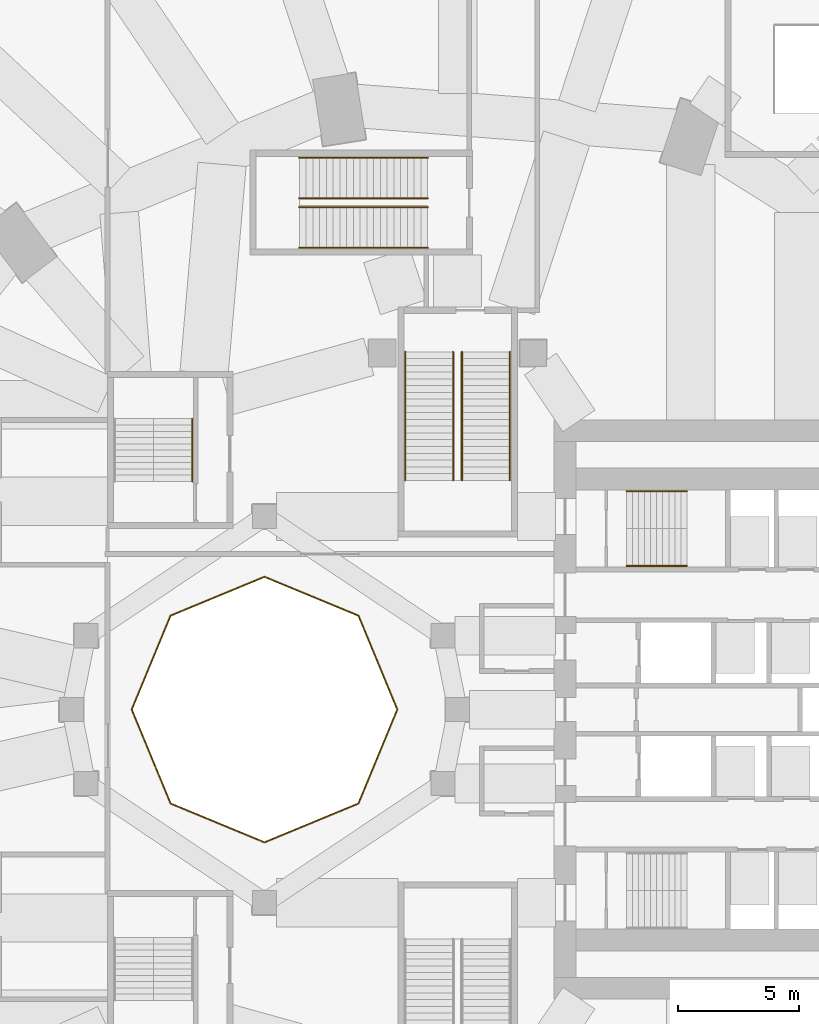
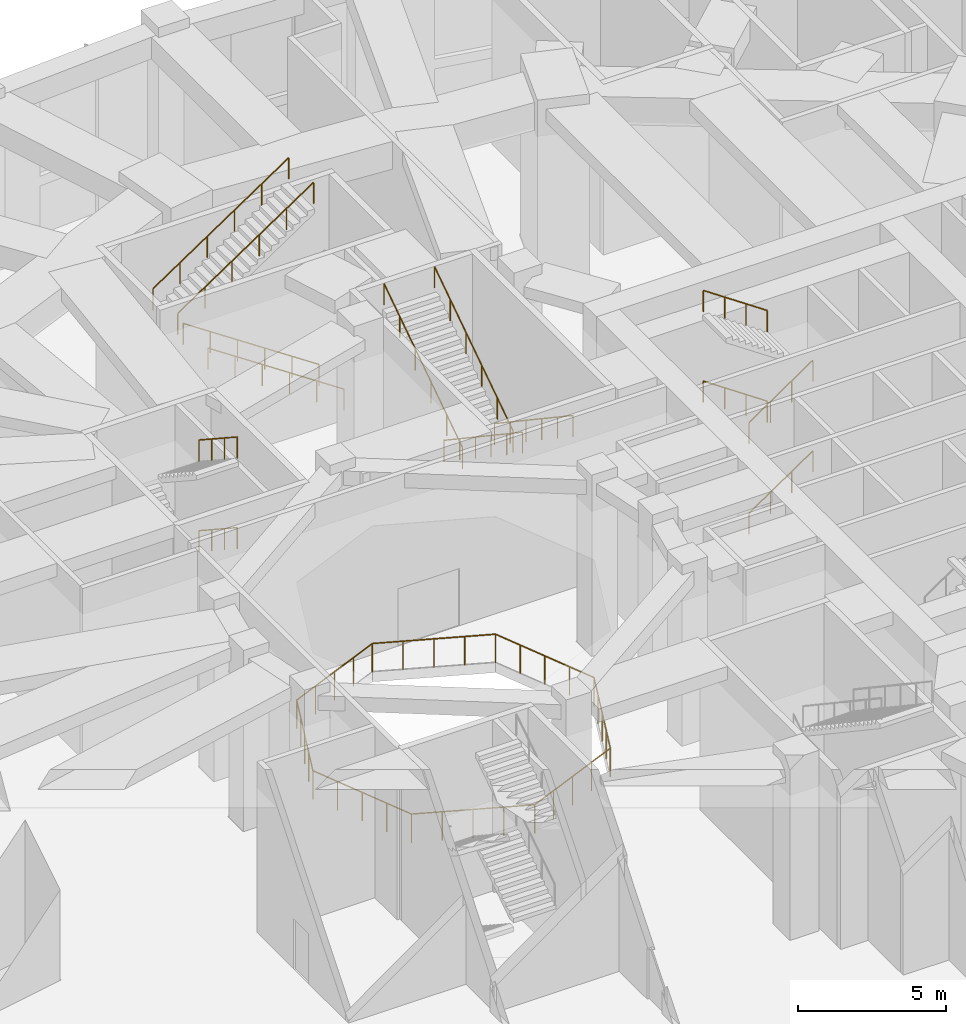
# One storey, part 57 of 60: 16 railings.
"""IFC4 building model written with IfcOpenShell, lengths in metres."""

from ifc_helpers import new_model, si_unit, direction, frame, origin, origin_2d, place, context, subcontext, project, spatial, circle, extrude, material, type_object, element, save


model = new_model("IFC4")

# Units and contexts
model_context = context("Model", 3, precision=1e-05, world=origin(), true_north=direction((0.0, 1.0)))
body_context = subcontext(model_context, "Body", "Model", "MODEL_VIEW")
ifc_project = project(units=[si_unit("LENGTHUNIT", "METRE"), si_unit("AREAUNIT", "SQUARE_METRE"), si_unit("VOLUMEUNIT", "CUBIC_METRE"), si_unit("PLANEANGLEUNIT", "RADIAN"), si_unit("MASSUNIT", "GRAM", prefix="KILO")], contexts=[model_context])

# Site, building, storey
site_placement = place(None, origin())
site = spatial("IfcSite", under=ifc_project, at=site_placement, CompositionType="ELEMENT")
building_placement = place(site_placement, origin())
building = spatial("IfcBuilding", under=site, at=building_placement, Name="Taillehof Tower", CompositionType="ELEMENT")
storey_placement = place(building_placement, origin())
storey = spatial("IfcBuildingStorey", under=building, at=storey_placement, Name="L00", CompositionType="ELEMENT", Elevation=0.0)

# Railings
ifc_material_1 = material(Name="Stainless steel and laminated glass", Category="steel")
railing_type_1 = type_object("IfcRailingType", Name="Guard 1200 mm", PredefinedType="GUARDRAIL", material=ifc_material_1)
railing_1_placement = place(storey_placement, frame((-2.5, 0.0, 0.0)))
element("IfcRailing", 1, at=railing_1_placement, inside=storey, type_object=railing_type_1, Name="Guard atrium", PredefinedType="GUARDRAIL", context=body_context, shape_type="SweptSolid", body=[
    extrude(circle(Radius=0.02392578125, at=origin_2d()), frame((0.0, 0.0, 1.17578125), z_axis=(-0.38266253946, 0.923888186359, 0.0), x_axis=(-0.923888186359, -0.38266253946, 0.0)), (0.0, 0.0, 1.0), 4.20947265625),
    extrude(circle(Radius=0.02392578125, at=origin_2d()), frame((-1.61083984375, 3.88916015625, 1.17578125), z_axis=(-0.923888186359, 0.38266253946, 0.0), x_axis=(-0.38266253946, -0.923888186359, 0.0)), (0.0, 0.0, 1.0), 4.20947265625),
    extrude(circle(Radius=0.02392578125, at=origin_2d()), frame((-5.5, 5.5, 1.17578125), z_axis=(-0.923888186359, -0.38266253946, 0.0), x_axis=(0.38266253946, -0.923888186359, 0.0)), (0.0, 0.0, 1.0), 4.20947265625),
    extrude(circle(Radius=0.02392578125, at=origin_2d()), frame((-9.38916015625, 3.88916015625, 1.17578125), z_axis=(-0.38266253946, -0.923888186359, 0.0), x_axis=(0.923888186359, -0.38266253946, 0.0)), (0.0, 0.0, 1.0), 4.20947265625),
    extrude(circle(Radius=0.02099609375, at=origin_2d()), origin(), (0.0, 0.0, 1.0), 1.15185546875),
    extrude(circle(Radius=0.02099609375, at=origin_2d()), frame((-0.40283203125, 0.97216796875, 0.0)), (0.0, 0.0, 1.0), 1.15185546875),
    extrude(circle(Radius=0.02099609375, at=origin_2d()), frame((-0.805419921875, 1.944580078125, 0.0)), (0.0, 0.0, 1.0), 1.15185546875),
    extrude(circle(Radius=0.02099609375, at=origin_2d()), frame((-1.2080078125, 2.9169921875, 0.0)), (0.0, 0.0, 1.0), 1.15185546875),
    extrude(circle(Radius=0.02099609375, at=origin_2d()), frame((-1.61083984375, 3.88916015625, 0.0)), (0.0, 0.0, 1.0), 1.15185546875),
    extrude(circle(Radius=0.02099609375, at=origin_2d()), frame((-2.5830078125, 4.2919921875, 0.0)), (0.0, 0.0, 1.0), 1.15185546875),
    extrude(circle(Radius=0.02099609375, at=origin_2d()), frame((-3.555419921875, 4.694580078125, 0.0)), (0.0, 0.0, 1.0), 1.15185546875),
    extrude(circle(Radius=0.02099609375, at=origin_2d()), frame((-4.52783203125, 5.09716796875, 0.0)), (0.0, 0.0, 1.0), 1.15185546875),
    extrude(circle(Radius=0.02099609375, at=origin_2d()), frame((-5.5, 5.5, 0.0)), (0.0, 0.0, 1.0), 1.15185546875),
    extrude(circle(Radius=0.02099609375, at=origin_2d()), frame((-6.47216796875, 5.09716796875, 0.0)), (0.0, 0.0, 1.0), 1.15185546875),
    extrude(circle(Radius=0.02099609375, at=origin_2d()), frame((-7.444580078125, 4.694580078125, 0.0)), (0.0, 0.0, 1.0), 1.15185546875),
    extrude(circle(Radius=0.02099609375, at=origin_2d()), frame((-8.4169921875, 4.2919921875, 0.0)), (0.0, 0.0, 1.0), 1.15185546875),
    extrude(circle(Radius=0.02099609375, at=origin_2d()), frame((-9.38916015625, 3.88916015625, 0.0)), (0.0, 0.0, 1.0), 1.15185546875),
    extrude(circle(Radius=0.02099609375, at=origin_2d()), frame((-9.7919921875, 2.9169921875, 0.0)), (0.0, 0.0, 1.0), 1.15185546875),
    extrude(circle(Radius=0.02099609375, at=origin_2d()), frame((-10.194580078125, 1.944580078125, 0.0)), (0.0, 0.0, 1.0), 1.15185546875),
    extrude(circle(Radius=0.02099609375, at=origin_2d()), frame((-10.59716796875, 0.97216796875, 0.0)), (0.0, 0.0, 1.0), 1.15185546875),
    extrude(circle(Radius=0.02099609375, at=origin_2d()), frame((-11.0, 0.0, 0.0)), (0.0, 0.0, 1.0), 1.15185546875),
])
railing_2_placement = place(storey_placement, frame((-13.5, 0.0, 0.0)))
element("IfcRailing", 2, at=railing_2_placement, inside=storey, type_object=railing_type_1, Name="Guard atrium", PredefinedType="GUARDRAIL", context=body_context, shape_type="SweptSolid", body=[
    extrude(circle(Radius=0.02392578125, at=origin_2d()), frame((0.0, 0.0, 1.17578125), z_axis=(0.38266253946, -0.923888186359, 0.0), x_axis=(0.923888186359, 0.38266253946, 0.0)), (0.0, 0.0, 1.0), 4.20947265625),
    extrude(circle(Radius=0.02392578125, at=origin_2d()), frame((1.61083984375, -3.88916015625, 1.17578125), z_axis=(0.923888186359, -0.38266253946, 0.0), x_axis=(0.38266253946, 0.923888186359, 0.0)), (0.0, 0.0, 1.0), 4.20947265625),
    extrude(circle(Radius=0.02392578125, at=origin_2d()), frame((5.5, -5.5, 1.17578125), z_axis=(0.923888186359, 0.38266253946, 0.0), x_axis=(-0.38266253946, 0.923888186359, 0.0)), (0.0, 0.0, 1.0), 4.20947265625),
    extrude(circle(Radius=0.02392578125, at=origin_2d()), frame((9.38916015625, -3.88916015625, 1.17578125), z_axis=(0.38266253946, 0.923888186359, 0.0), x_axis=(-0.923888186359, 0.38266253946, 0.0)), (0.0, 0.0, 1.0), 4.20947265625),
    extrude(circle(Radius=0.02099609375, at=origin_2d()), origin(), (0.0, 0.0, 1.0), 1.15185546875),
    extrude(circle(Radius=0.02099609375, at=origin_2d()), frame((0.40283203125, -0.97216796875, 0.0)), (0.0, 0.0, 1.0), 1.15185546875),
    extrude(circle(Radius=0.02099609375, at=origin_2d()), frame((0.805419921875, -1.944580078125, 0.0)), (0.0, 0.0, 1.0), 1.15185546875),
    extrude(circle(Radius=0.02099609375, at=origin_2d()), frame((1.2080078125, -2.9169921875, 0.0)), (0.0, 0.0, 1.0), 1.15185546875),
    extrude(circle(Radius=0.02099609375, at=origin_2d()), frame((1.61083984375, -3.88916015625, 0.0)), (0.0, 0.0, 1.0), 1.15185546875),
    extrude(circle(Radius=0.02099609375, at=origin_2d()), frame((2.5830078125, -4.2919921875, 0.0)), (0.0, 0.0, 1.0), 1.15185546875),
    extrude(circle(Radius=0.02099609375, at=origin_2d()), frame((3.555419921875, -4.694580078125, 0.0)), (0.0, 0.0, 1.0), 1.15185546875),
    extrude(circle(Radius=0.02099609375, at=origin_2d()), frame((4.52783203125, -5.09716796875, 0.0)), (0.0, 0.0, 1.0), 1.15185546875),
    extrude(circle(Radius=0.02099609375, at=origin_2d()), frame((5.5, -5.5, 0.0)), (0.0, 0.0, 1.0), 1.15185546875),
    extrude(circle(Radius=0.02099609375, at=origin_2d()), frame((6.47216796875, -5.09716796875, 0.0)), (0.0, 0.0, 1.0), 1.15185546875),
    extrude(circle(Radius=0.02099609375, at=origin_2d()), frame((7.444580078125, -4.694580078125, 0.0)), (0.0, 0.0, 1.0), 1.15185546875),
    extrude(circle(Radius=0.02099609375, at=origin_2d()), frame((8.4169921875, -4.2919921875, 0.0)), (0.0, 0.0, 1.0), 1.15185546875),
    extrude(circle(Radius=0.02099609375, at=origin_2d()), frame((9.38916015625, -3.88916015625, 0.0)), (0.0, 0.0, 1.0), 1.15185546875),
    extrude(circle(Radius=0.02099609375, at=origin_2d()), frame((9.7919921875, -2.9169921875, 0.0)), (0.0, 0.0, 1.0), 1.15185546875),
    extrude(circle(Radius=0.02099609375, at=origin_2d()), frame((10.194580078125, -1.944580078125, 0.0)), (0.0, 0.0, 1.0), 1.15185546875),
    extrude(circle(Radius=0.02099609375, at=origin_2d()), frame((10.59716796875, -0.97216796875, 0.0)), (0.0, 0.0, 1.0), 1.15185546875),
    extrude(circle(Radius=0.02099609375, at=origin_2d()), frame((11.0, 0.0, 0.0)), (0.0, 0.0, 1.0), 1.15185546875),
])
ifc_material_2 = material(Name="Stainless steel tube", Category="steel")
railing_type_2 = type_object("IfcRailingType", Name="Handrail 900 mm", PredefinedType="HANDRAIL", material=ifc_material_2)
for number, where, name in (
    (3, (2.1650390625, 14.820068359375, 0.1875), "Handrail P1"),
    (4, (0.18505859375, 14.820068359375, 0.1875), "Handrail P1"),
):
    element("IfcRailing", number, at=place(storey_placement, frame(where)), inside=storey, type_object=railing_type_2, Name=name, PredefinedType="HANDRAIL", context=body_context, shape_type="SweptSolid", body=[
        extrude(circle(Radius=0.02392578125, at=origin_2d()), frame((0.0, 0.0, 0.8759765625), z_axis=(0.0, -0.830910482381, 0.556406119907), x_axis=(1.0, 0.0, 0.0)), (0.0, 0.0, 1.0), 6.402587890625),
        extrude(circle(Radius=0.02099609375, at=origin_2d()), origin(), (0.0, 0.0, 1.0), 0.851806640625),
        extrude(circle(Radius=0.02099609375, at=origin_2d()), frame((0.0, -1.06396484375, 0.71240234375)), (0.0, 0.0, 1.0), 0.851806640625),
        extrude(circle(Radius=0.02099609375, at=origin_2d()), frame((0.0, -2.1279296875, 1.425048828125)), (0.0, 0.0, 1.0), 0.851806640625),
        extrude(circle(Radius=0.02099609375, at=origin_2d()), frame((0.0, -3.192138671875, 2.137451171875)), (0.0, 0.0, 1.0), 0.851806640625),
        extrude(circle(Radius=0.02099609375, at=origin_2d()), frame((0.0, -4.256103515625, 2.85009765625)), (0.0, 0.0, 1.0), 0.851806640625),
        extrude(circle(Radius=0.02099609375, at=origin_2d()), frame((0.0, -5.320068359375, 3.5625)), (0.0, 0.0, 1.0), 0.851806640625),
    ])
for number, where, name in (
    (5, (-0.18505859375, 9.5, 3.9375), "Handrail P1"),
    (6, (-2.1650390625, 9.5, 3.9375), "Handrail P1"),
):
    element("IfcRailing", number, at=place(storey_placement, frame(where)), inside=storey, type_object=railing_type_2, Name=name, PredefinedType="HANDRAIL", context=body_context, shape_type="SweptSolid", body=[
        extrude(circle(Radius=0.02392578125, at=origin_2d()), frame((0.0, 0.0, 0.8759765625), z_axis=(0.0, 0.830910482381, 0.556406119907), x_axis=(-1.0, 0.0, 0.0)), (0.0, 0.0, 1.0), 6.402587890625),
        extrude(circle(Radius=0.02099609375, at=origin_2d()), origin(), (0.0, 0.0, 1.0), 0.851806640625),
        extrude(circle(Radius=0.02099609375, at=origin_2d()), frame((0.0, 1.06396484375, 0.71240234375)), (0.0, 0.0, 1.0), 0.851806640625),
        extrude(circle(Radius=0.02099609375, at=origin_2d()), frame((0.0, 2.1279296875, 1.425048828125)), (0.0, 0.0, 1.0), 0.851806640625),
        extrude(circle(Radius=0.02099609375, at=origin_2d()), frame((0.0, 3.192138671875, 2.137451171875)), (0.0, 0.0, 1.0), 0.851806640625),
        extrude(circle(Radius=0.02099609375, at=origin_2d()), frame((0.0, 4.256103515625, 2.85009765625)), (0.0, 0.0, 1.0), 0.851806640625),
        extrude(circle(Radius=0.02099609375, at=origin_2d()), frame((0.0, 5.320068359375, 3.5625)), (0.0, 0.0, 1.0), 0.851806640625),
    ])
for number, where, name in (
    (7, (-1.239990234375, 19.135009765625, 0.1875), "Handrail P3"),
    (8, (-1.239990234375, 20.81494140625, 0.1875), "Handrail P3"),
):
    element("IfcRailing", number, at=place(storey_placement, frame(where)), inside=storey, type_object=railing_type_2, Name=name, PredefinedType="HANDRAIL", context=body_context, shape_type="SweptSolid", body=[
        extrude(circle(Radius=0.02392578125, at=origin_2d()), frame((0.0, 0.0, 0.8759765625), z_axis=(-0.830910482381, 0.0, 0.556406119907), x_axis=(0.0, -1.0, 0.0)), (0.0, 0.0, 1.0), 6.402587890625),
        extrude(circle(Radius=0.02099609375, at=origin_2d()), origin(), (0.0, 0.0, 1.0), 0.851806640625),
        extrude(circle(Radius=0.02099609375, at=origin_2d()), frame((-1.06396484375, 0.0, 0.71240234375)), (0.0, 0.0, 1.0), 0.851806640625),
        extrude(circle(Radius=0.02099609375, at=origin_2d()), frame((-2.1279296875, 0.0, 1.425048828125)), (0.0, 0.0, 1.0), 0.851806640625),
        extrude(circle(Radius=0.02099609375, at=origin_2d()), frame((-3.192138671875, 0.0, 2.137451171875)), (0.0, 0.0, 1.0), 0.851806640625),
        extrude(circle(Radius=0.02099609375, at=origin_2d()), frame((-4.256103515625, 0.0, 2.85009765625)), (0.0, 0.0, 1.0), 0.851806640625),
        extrude(circle(Radius=0.02099609375, at=origin_2d()), frame((-5.320068359375, 0.0, 3.5625)), (0.0, 0.0, 1.0), 0.851806640625),
    ])
for number, where, name in (
    (9, (-6.56005859375, 21.18505859375, 3.9375), "Handrail P3"),
    (10, (-6.56005859375, 22.864990234375, 3.9375), "Handrail P3"),
):
    element("IfcRailing", number, at=place(storey_placement, frame(where)), inside=storey, type_object=railing_type_2, Name=name, PredefinedType="HANDRAIL", context=body_context, shape_type="SweptSolid", body=[
        extrude(circle(Radius=0.02392578125, at=origin_2d()), frame((0.0, 0.0, 0.8759765625), z_axis=(0.830910482381, 0.0, 0.556406119907), x_axis=(0.0, 1.0, 0.0)), (0.0, 0.0, 1.0), 6.402587890625),
        extrude(circle(Radius=0.02099609375, at=origin_2d()), origin(), (0.0, 0.0, 1.0), 0.851806640625),
        extrude(circle(Radius=0.02099609375, at=origin_2d()), frame((1.06396484375, 0.0, 0.71240234375)), (0.0, 0.0, 1.0), 0.851806640625),
        extrude(circle(Radius=0.02099609375, at=origin_2d()), frame((2.1279296875, 0.0, 1.425048828125)), (0.0, 0.0, 1.0), 0.851806640625),
        extrude(circle(Radius=0.02099609375, at=origin_2d()), frame((3.192138671875, 0.0, 2.137451171875)), (0.0, 0.0, 1.0), 0.851806640625),
        extrude(circle(Radius=0.02099609375, at=origin_2d()), frame((4.256103515625, 0.0, 2.85009765625)), (0.0, 0.0, 1.0), 0.851806640625),
        extrude(circle(Radius=0.02099609375, at=origin_2d()), frame((5.320068359375, 0.0, 3.5625)), (0.0, 0.0, 1.0), 0.851806640625),
    ])
ifc_material_3 = material(Name="Stainless steel", Category="steel")
railing_type_3 = type_object("IfcRailingType", Name="Stair handrail 900", PredefinedType="HANDRAIL", material=ifc_material_3)
railing_3_placement = place(storey_placement, frame((7.0, 5.949951171875, 0.17041015625)))
element("IfcRailing", 11, at=railing_3_placement, inside=storey, type_object=railing_type_3, Name="Stair S1 handrail", PredefinedType="HANDRAIL", context=body_context, shape_type="SweptSolid", body=[
    extrude(circle(Radius=0.02392578125, at=origin_2d()), frame((0.0, 0.0, 0.8759765625), z_axis=(0.826220514629, 0.0, 0.563346839174), x_axis=(0.0, 1.0, 0.0)), (0.0, 0.0, 1.0), 3.02587890625),
    extrude(circle(Radius=0.02099609375, at=origin_2d()), origin(), (0.0, 0.0, 1.0), 0.851806640625),
    extrude(circle(Radius=0.02099609375, at=origin_2d()), frame((0.833251953125, 0.0, 0.568115234375)), (0.0, 0.0, 1.0), 0.851806640625),
    extrude(circle(Radius=0.02099609375, at=origin_2d()), frame((1.666748046875, 0.0, 1.136474609375)), (0.0, 0.0, 1.0), 0.851806640625),
    extrude(circle(Radius=0.02099609375, at=origin_2d()), frame((2.5, 0.0, 1.70458984375)), (0.0, 0.0, 1.0), 0.851806640625),
])
railing_4_placement = place(storey_placement, frame((9.5, 9.050048828125, 2.04541015625)))
element("IfcRailing", 12, at=railing_4_placement, inside=storey, type_object=railing_type_3, Name="Stair S1 handrail", PredefinedType="HANDRAIL", context=body_context, shape_type="SweptSolid", body=[
    extrude(circle(Radius=0.02392578125, at=origin_2d()), frame((0.0, 0.0, 0.8759765625), z_axis=(-0.826220514629, 0.0, 0.563346839174), x_axis=(0.0, -1.0, 0.0)), (0.0, 0.0, 1.0), 3.02587890625),
    extrude(circle(Radius=0.02099609375, at=origin_2d()), origin(), (0.0, 0.0, 1.0), 0.851806640625),
    extrude(circle(Radius=0.02099609375, at=origin_2d()), frame((-0.833251953125, 0.0, 0.568115234375)), (0.0, 0.0, 1.0), 0.851806640625),
    extrude(circle(Radius=0.02099609375, at=origin_2d()), frame((-1.666748046875, 0.0, 1.136474609375)), (0.0, 0.0, 1.0), 0.851806640625),
    extrude(circle(Radius=0.02099609375, at=origin_2d()), frame((-2.5, 0.0, 1.70458984375)), (0.0, 0.0, 1.0), 0.851806640625),
])
railing_5_placement = place(storey_placement, frame((7.0, 5.949951171875, 3.92041015625)))
element("IfcRailing", 13, at=railing_5_placement, inside=storey, type_object=railing_type_3, Name="Stair S1 handrail", PredefinedType="HANDRAIL", context=body_context, shape_type="SweptSolid", body=[
    extrude(circle(Radius=0.02392578125, at=origin_2d()), frame((0.0, 0.0, 0.8759765625), z_axis=(0.826220514629, 0.0, 0.563346839174), x_axis=(0.0, 1.0, 0.0)), (0.0, 0.0, 1.0), 3.02587890625),
    extrude(circle(Radius=0.02099609375, at=origin_2d()), origin(), (0.0, 0.0, 1.0), 0.851806640625),
    extrude(circle(Radius=0.02099609375, at=origin_2d()), frame((0.833251953125, 0.0, 0.568115234375)), (0.0, 0.0, 1.0), 0.851806640625),
    extrude(circle(Radius=0.02099609375, at=origin_2d()), frame((1.666748046875, 0.0, 1.136474609375)), (0.0, 0.0, 1.0), 0.851806640625),
    extrude(circle(Radius=0.02099609375, at=origin_2d()), frame((2.5, 0.0, 1.70458984375)), (0.0, 0.0, 1.0), 0.851806640625),
])
railing_6_placement = place(storey_placement, frame((9.5, 9.050048828125, 5.79541015625)))
element("IfcRailing", 14, at=railing_6_placement, inside=storey, type_object=railing_type_3, Name="Stair S1 handrail", PredefinedType="HANDRAIL", context=body_context, shape_type="SweptSolid", body=[
    extrude(circle(Radius=0.02392578125, at=origin_2d()), frame((0.0, 0.0, 0.8759765625), z_axis=(-0.826220514629, 0.0, 0.563346839174), x_axis=(0.0, -1.0, 0.0)), (0.0, 0.0, 1.0), 3.02587890625),
    extrude(circle(Radius=0.02099609375, at=origin_2d()), origin(), (0.0, 0.0, 1.0), 0.851806640625),
    extrude(circle(Radius=0.02099609375, at=origin_2d()), frame((-0.833251953125, 0.0, 0.568115234375)), (0.0, 0.0, 1.0), 0.851806640625),
    extrude(circle(Radius=0.02099609375, at=origin_2d()), frame((-1.666748046875, 0.0, 1.136474609375)), (0.0, 0.0, 1.0), 0.851806640625),
    extrude(circle(Radius=0.02099609375, at=origin_2d()), frame((-2.5, 0.0, 1.70458984375)), (0.0, 0.0, 1.0), 0.851806640625),
])
for number, where, name in (
    (15, (-11.0, 12.050048828125, 2.04541015625), "Stair S3 handrail"),
    (16, (-11.0, 12.050048828125, 5.79541015625), "Stair S3 handrail"),
):
    element("IfcRailing", number, at=place(storey_placement, frame(where)), inside=storey, type_object=railing_type_3, Name=name, PredefinedType="HANDRAIL", context=body_context, shape_type="SweptSolid", body=[
        extrude(circle(Radius=0.02392578125, at=origin_2d()), frame((0.0, 0.0, 0.8759765625), z_axis=(0.0, -0.836302213143, 0.548268737292), x_axis=(1.0, 0.0, 0.0)), (0.0, 0.0, 1.0), 3.109130859375),
        extrude(circle(Radius=0.02099609375, at=origin_2d()), origin(), (0.0, 0.0, 1.0), 0.851806640625),
        extrude(circle(Radius=0.02099609375, at=origin_2d()), frame((0.0, -0.86669921875, 0.568115234375)), (0.0, 0.0, 1.0), 0.851806640625),
        extrude(circle(Radius=0.02099609375, at=origin_2d()), frame((0.0, -1.7333984375, 1.136474609375)), (0.0, 0.0, 1.0), 0.851806640625),
        extrude(circle(Radius=0.02099609375, at=origin_2d()), frame((0.0, -2.60009765625, 1.70458984375)), (0.0, 0.0, 1.0), 0.851806640625),
    ])

save(model, "model.ifc")
